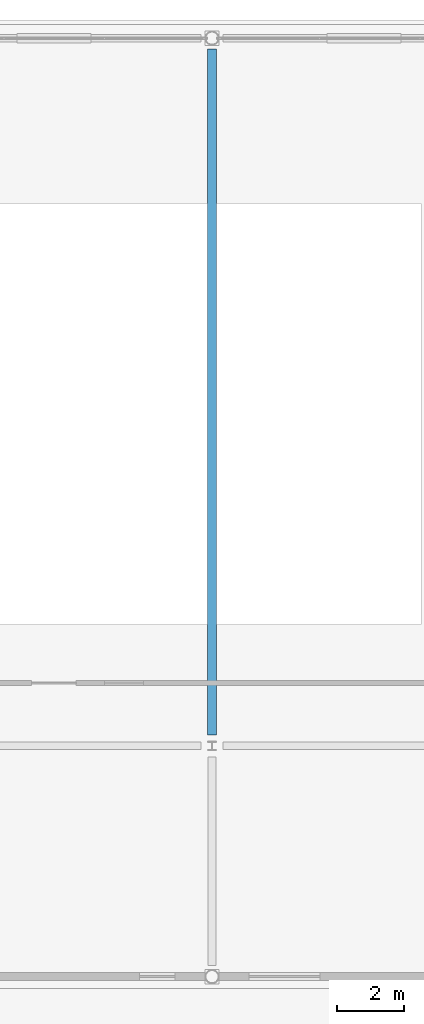
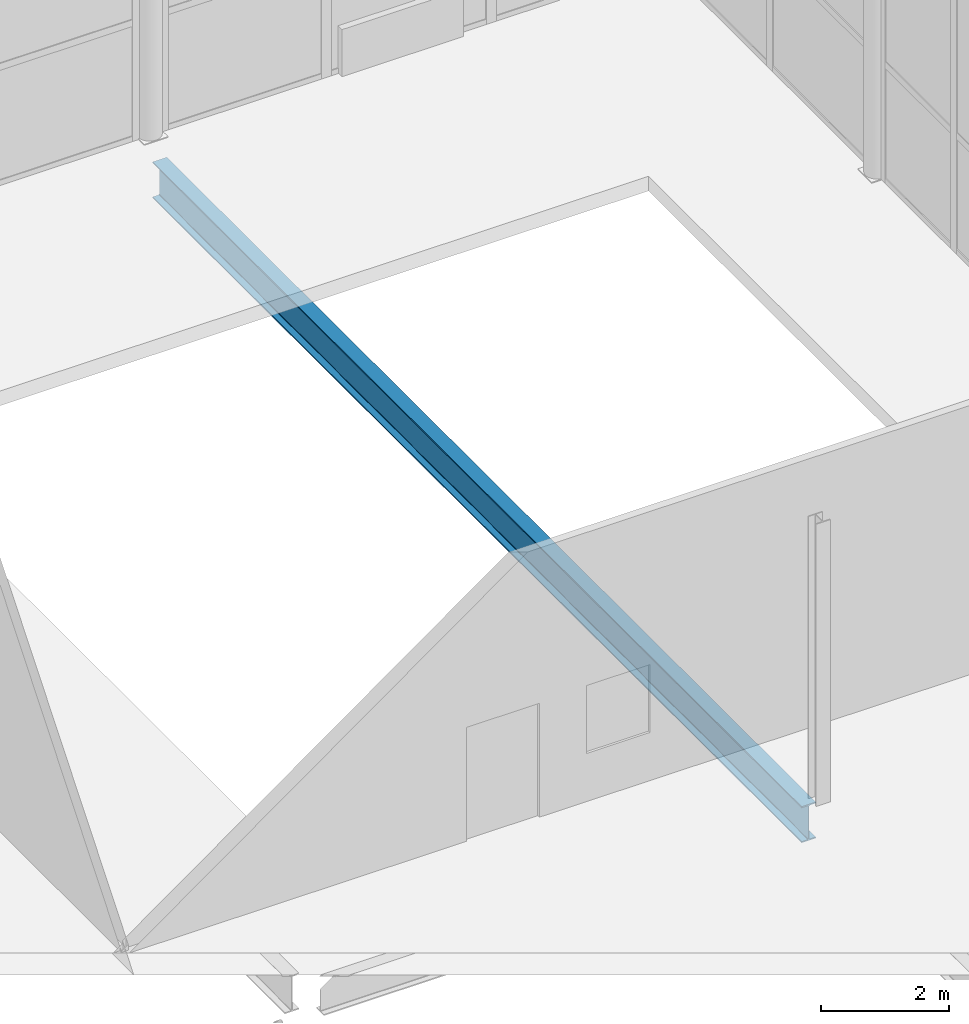
# One storey, part 48 of 83: 1 beam.
"""IFC4 building model written with IfcOpenShell, lengths in metres."""

from ifc_helpers import new_model, si_unit, direction, frame, origin, origin_2d, place, context, subcontext, project, spatial, i_section, extrude, material, material_profile, profile_set, type_object, element, save


model = new_model("IFC4")

# Units and contexts
model_context = context("Model", 3, precision=1e-05, world=origin(), true_north=direction((0.0, 1.0)))
body_context = subcontext(model_context, "Body", "Model", "MODEL_VIEW")
ifc_project = project(units=[si_unit("LENGTHUNIT", "METRE"), si_unit("AREAUNIT", "SQUARE_METRE"), si_unit("VOLUMEUNIT", "CUBIC_METRE"), si_unit("PLANEANGLEUNIT", "RADIAN"), si_unit("MASSUNIT", "GRAM", prefix="KILO")], contexts=[model_context])

# Site, building, storey
site_placement = place(None, origin())
site = spatial("IfcSite", under=ifc_project, at=site_placement, CompositionType="ELEMENT")
building_placement = place(site_placement, origin())
building = spatial("IfcBuilding", under=site, at=building_placement, Name="Quillay Park Conservatory", CompositionType="ELEMENT")
storey_placement = place(building_placement, origin())
storey = spatial("IfcBuildingStorey", under=building, at=storey_placement, Name="L00", CompositionType="ELEMENT", Elevation=0.0)

# Beam
ifc_material = material(Name="Steel ASTM A992 Grade 50", Category="steel")
ifc_material_profile = material_profile(ifc_material, i_section(OverallWidth=0.256103515625, OverallDepth=0.693115234375, WebThickness=0.014404296875, FlangeThickness=0.023681640625, FilletRadius=0.01611328125, at=origin_2d()), Name="W690x170")
ifc_profile_set = profile_set([ifc_material_profile], Name="Steel ASTM A992 Grade 50")
beam_type = type_object("IfcBeamType", Name="PRIMARY FLOOR GIRDER W690 X170", PredefinedType="BEAM", material=ifc_profile_set)
beam_placement = place(storey_placement, frame((105.494384765625, 92.72509765625, -0.62646484375), z_axis=(0.0, 1.0, 0.0), x_axis=(-1.0, 0.0, 0.0)))
element("IfcBeam", 1, at=beam_placement, inside=storey, type_object=beam_type, Name="L00 beam BM-V1T0-1646", PredefinedType="BEAM", context=body_context, shape_type="SweptSolid", body=[
    extrude(i_section(OverallWidth=0.256103515625, OverallDepth=0.693115234375, WebThickness=0.014404296875, FlangeThickness=0.023681640625, FilletRadius=0.01611328125, at=origin_2d()), origin(), (0.0, 0.0, 1.0), 20.349853515625),
])

save(model, "model.ifc")
